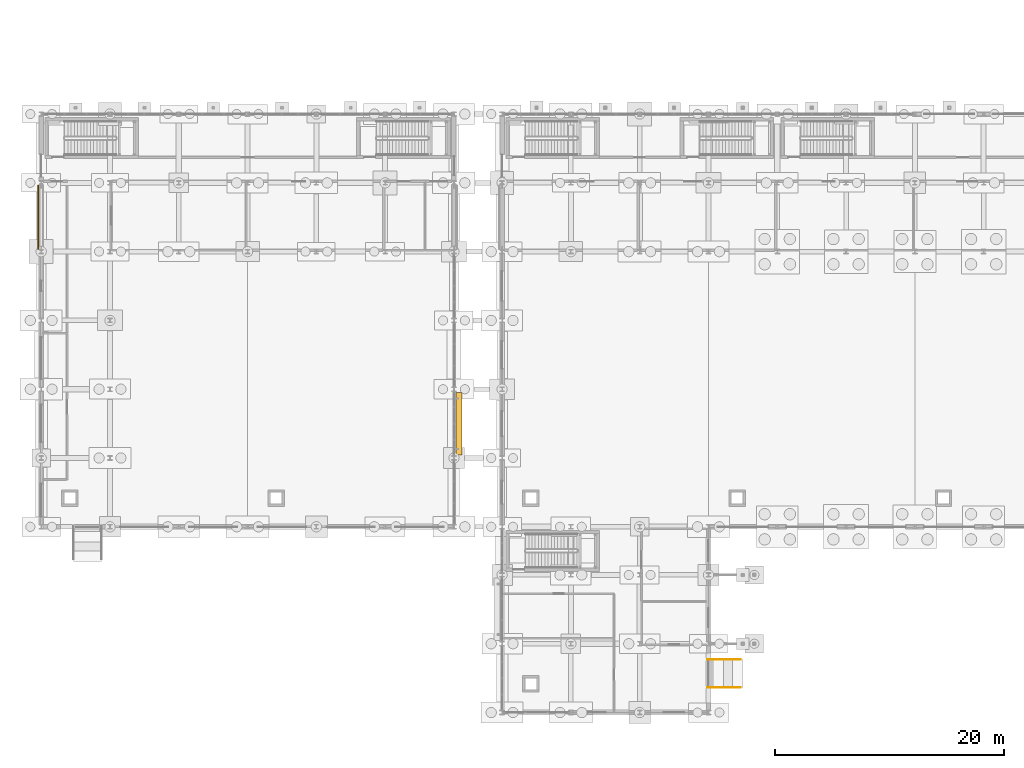
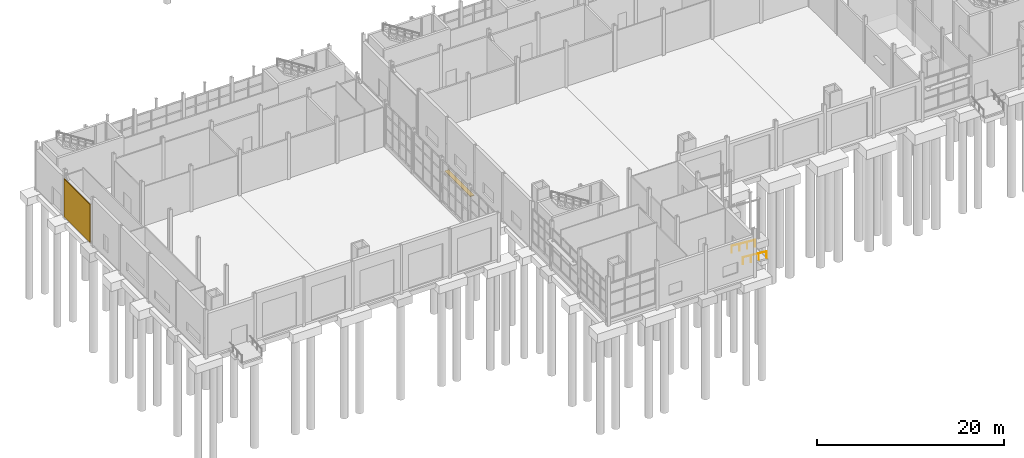
# One storey, part 111 of 120: 2 railings, 1 covering, 1 shading device.
"""IFC4 building model written with IfcOpenShell, lengths in metres."""

from ifc_helpers import new_model, si_unit, direction, frame, origin, origin_2d, place, context, subcontext, project, spatial, rectangle, circle, extrude, material, layer, layer_set, type_object, element, save


model = new_model("IFC4")

# Units and contexts
model_context = context("Model", 3, precision=1e-05, world=origin(), true_north=direction((0.0, 1.0)))
body_context = subcontext(model_context, "Body", "Model", "MODEL_VIEW")
ifc_project = project(units=[si_unit("LENGTHUNIT", "METRE"), si_unit("AREAUNIT", "SQUARE_METRE"), si_unit("VOLUMEUNIT", "CUBIC_METRE"), si_unit("PLANEANGLEUNIT", "RADIAN"), si_unit("MASSUNIT", "GRAM", prefix="KILO")], contexts=[model_context])

# Site, building, storey
site_placement = place(None, origin())
site = spatial("IfcSite", under=ifc_project, at=site_placement, CompositionType="ELEMENT")
building_placement = place(site_placement, origin())
building = spatial("IfcBuilding", under=site, at=building_placement, Name="Siltcreek Boulevard Central Fire Station", CompositionType="ELEMENT")
storey_placement = place(building_placement, origin())
storey = spatial("IfcBuildingStorey", under=building, at=storey_placement, Name="L01", CompositionType="ELEMENT", Elevation=0.0)

# Covering
ifc_material_1 = material(Name="Sandblasted terracotta red brick veneer", Category="masonry")
ifc_layer_1 = layer(ifc_material_1, 0.090087890625, Name="Sandblasted terracotta red brick veneer")
ifc_layer_set_1 = layer_set([ifc_layer_1], Name="Sandblasted terracotta red brick veneer")
covering_type = type_object("IfcCoveringType", Name="COV_CLAD_BRICK", PredefinedType="CLADDING", material=ifc_layer_set_1)
covering_placement = place(storey_placement, frame((1.56201171875, 45.0, 0.0498046875), z_axis=(0.0, 0.0, 1.0), x_axis=(0.0, -1.0, 0.0)))
element("IfcCovering", 1, at=covering_placement, inside=storey, type_object=covering_type, Name="L01 V4 ventilated facade cladding panel CL-020", PredefinedType="CLADDING", context=body_context, shape_type="SweptSolid", body=[
    extrude(rectangle(XDim=5.550048828125, YDim=0.090087890625, at=origin_2d()), origin(), (0.0, 0.0, 1.0), 4.944091796875),
])

# Railings
ifc_material_2 = material(Name="Brushed stainless steel stair handrail", Category="steel")
railing_type = type_object("IfcRailingType", Name="RL_ST_HAND", PredefinedType="HANDRAIL", material=ifc_material_2)
for number, where, name in (
    (2, (62.800048828125, 3.97509765625, -0.239990234375), "Accessible ramp RM-01 handrail L"),
    (3, (62.800048828125, 6.425048828125, -0.239990234375), "Accessible ramp RM-01 handrail R"),
):
    element("IfcRailing", number, at=place(storey_placement, frame(where)), inside=storey, type_object=railing_type, Name=name, PredefinedType="HANDRAIL", context=body_context, shape_type="SweptSolid", body=[
        extrude(circle(Radius=0.02392578125, at=origin_2d()), frame((0.0, 0.0, 0.8759765625), z_axis=(-0.996546340804, 0.0, 0.083038488854), x_axis=(0.0, -1.0, 0.0)), (0.0, 0.0, 1.0), 2.89013671875),
        extrude(circle(Radius=0.02099609375, at=origin_2d()), origin(), (0.0, 0.0, 1.0), 0.851806640625),
        extrude(circle(Radius=0.02099609375, at=origin_2d()), frame((-0.9599609375, 0.0, 0.080078125)), (0.0, 0.0, 1.0), 0.851806640625),
        extrude(circle(Radius=0.02099609375, at=origin_2d()), frame((-1.920166015625, 0.0, 0.159912109375)), (0.0, 0.0, 1.0), 0.851806640625),
        extrude(circle(Radius=0.02099609375, at=origin_2d()), frame((-2.880126953125, 0.0, 0.239990234375)), (0.0, 0.0, 1.0), 0.851806640625),
    ])

# Shading device
ifc_material_3 = material(Name="Frey sage-green anodized tubular aluminum sunshade", Category="aluminium")
ifc_layer_2 = layer(ifc_material_3, 0.080078125, Name="Frey sage-green anodized tubular aluminum sunshade")
ifc_layer_set_2 = layer_set([ifc_layer_2], Name="Frey sage-green anodized tubular aluminum sunshade")
shading_device_type = type_object("IfcShadingDeviceType", Name="SHD_BRISE", PredefinedType="USERDEFINED", material=ifc_layer_set_2)
shading_device_placement = place(storey_placement, frame((38.260009765625, 27.0, 4.09521484375), z_axis=(0.0, 0.0, 1.0), x_axis=(0.0, 1.0, 0.0)))
element("IfcShadingDevice", 4, at=shading_device_placement, inside=storey, type_object=shading_device_type, Name="Anodized tubular aluminum brise-soleil SS-075", ObjectType="SUNSHADE", PredefinedType="USERDEFINED", context=body_context, shape_type="SweptSolid", body=[
    extrude(rectangle(XDim=5.469970703125, YDim=0.52001953125, at=origin_2d()), origin(), (0.0, 0.0, 1.0), 0.080078125),
])

save(model, "model.ifc")
